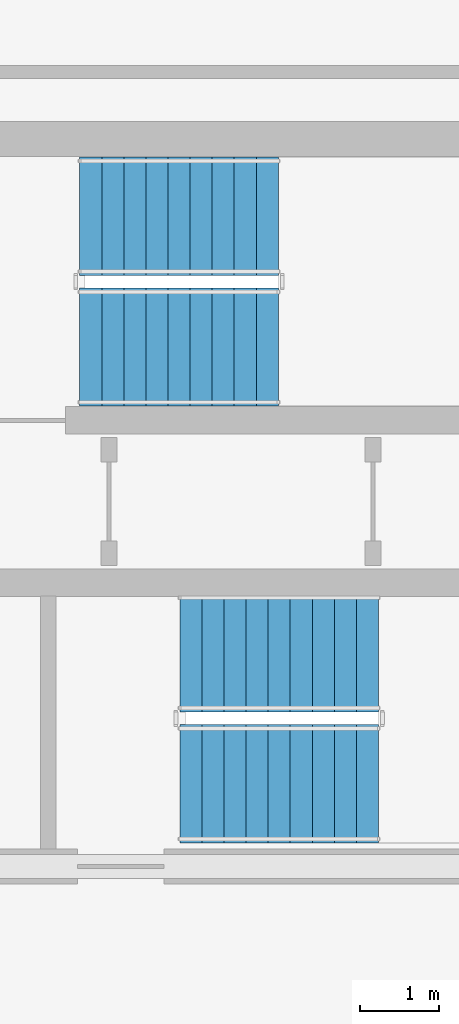
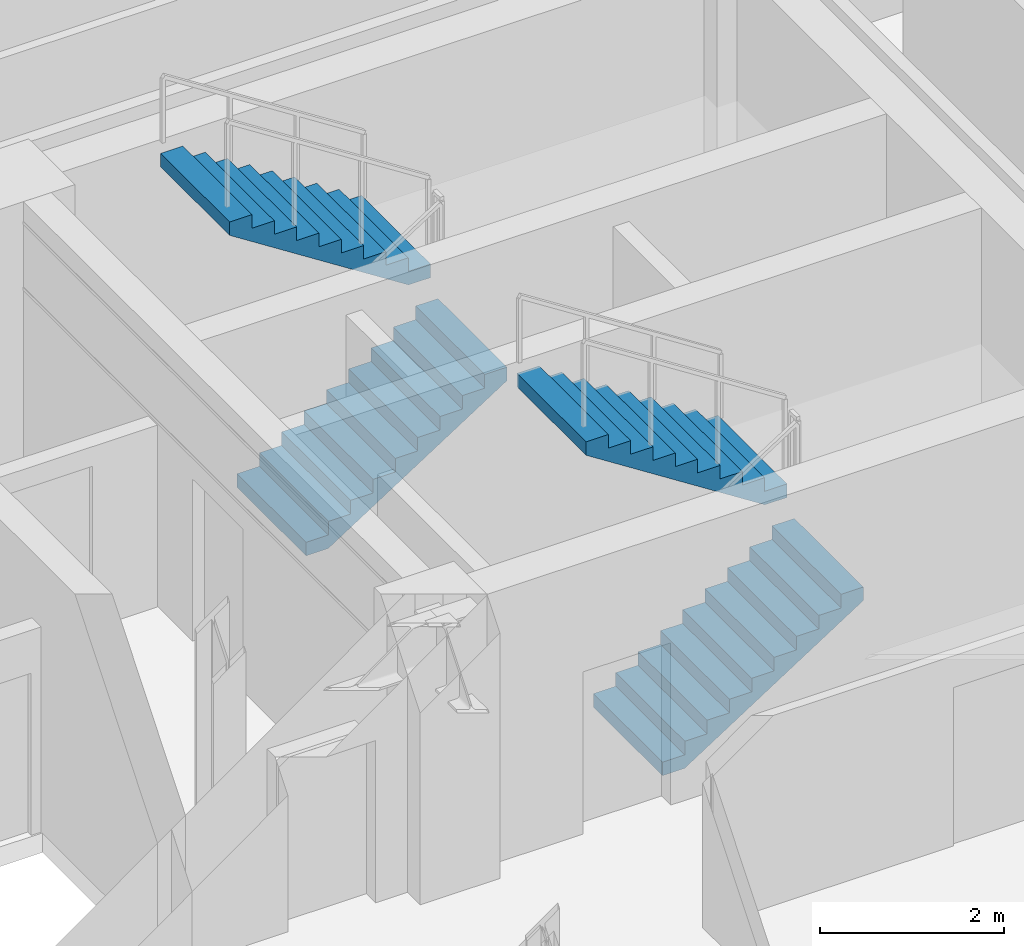
# One storey, part 10 of 14: 4 stair flights, 2 elements without a shape of their own.
"""IFC4 building model written with IfcOpenShell, lengths in metres."""

import ifcopenshell
import ifcopenshell.guid

model = None  # the IFC model being written
_history = None  # IfcOwnerHistory: only IFC2X3 demands one
_inside = {}  # id of a spatial element -> (the spatial element, [elements in it])
_under = {}  # id of a project, library or spatial element -> (it, [spatial elements below it])
_declared = {}  # id of a project -> (the project, [libraries it declares])
_typed = {}  # id of a type object -> (the type object, [elements of that type])
_made_of = {}  # id of a material, layer set ... -> (it, [elements and type objects made of it])


def new_model(schema):
    """Start an empty IFC model of exactly this schema.

    Asked for "IFC4X3", IfcOpenShell would pick the latest addendum, in which some entities
    have other attributes; the version numbers below select the first issue.
    IFC2X3 requires an IfcOwnerHistory on every rooted entity: one is made here for all.
    """
    global model, _history
    if schema == "IFC4X3":
        model = ifcopenshell.file(schema_version=(4, 3, 0, 0))
    else:
        model = ifcopenshell.file(schema=schema)
    _inside.clear()
    _under.clear()
    _declared.clear()
    _typed.clear()
    _made_of.clear()
    _history = None
    if model.schema == "IFC2X3":
        org = make("IfcOrganization", Name="unknown")
        user = make(
            "IfcPersonAndOrganization",
            ThePerson=make("IfcPerson", FamilyName="unknown"),
            TheOrganization=org,
        )
        app = make(
            "IfcApplication",
            ApplicationDeveloper=org,
            Version="unknown",
            ApplicationFullName="unknown",
            ApplicationIdentifier="unknown",
        )
        _history = make(
            "IfcOwnerHistory",
            OwningUser=user,
            OwningApplication=app,
            ChangeAction="ADDED",
            CreationDate=0,
        )
    return model


def make(cls, **values):
    """One entity of the class cls with the attributes given. An attribute that is None is left unset."""
    return model.create_entity(
        cls, **{name: value for name, value in values.items() if value is not None}
    )


def rooted(cls, **values):
    """An entity with a GlobalId (a new one), such as an element, a storey or a relation."""
    return make(cls, GlobalId=ifcopenshell.guid.new(), OwnerHistory=_history, **values)


def si_unit(unit_type, name, prefix=None):
    """IfcSIUnit, for example si_unit("LENGTHUNIT", "METRE", prefix="MILLI")."""
    return make("IfcSIUnit", UnitType=unit_type, Prefix=prefix, Name=name)


def assignment(units):
    """IfcUnitAssignment: the units of a project."""
    return None if units is None else make("IfcUnitAssignment", Units=units)


def point(xyz):
    """IfcCartesianPoint."""
    return None if xyz is None else make("IfcCartesianPoint", Coordinates=xyz)


def direction(xyz):
    """IfcDirection."""
    return None if xyz is None else make("IfcDirection", DirectionRatios=xyz)


def frame(location, z_axis=None, x_axis=None):
    """IfcAxis2Placement3D, a coordinate frame: its origin and axes. An axis left out is left unset."""
    return make(
        "IfcAxis2Placement3D",
        Location=point(location),
        Axis=direction(z_axis),
        RefDirection=direction(x_axis),
    )


def origin():
    """The frame at (0, 0, 0) with its axes left unset."""
    return frame((0.0, 0.0, 0.0))


def place(relative_to, where):
    """IfcLocalPlacement: puts the frame where relative to a parent placement (None: the world)."""
    return make(
        "IfcLocalPlacement", PlacementRelTo=relative_to, RelativePlacement=where
    )


def context(
    kind, dimensions, precision=None, world=None, true_north=None, identifier=None
):
    """IfcGeometricRepresentationContext, for example the 3D "Model" context."""
    return make(
        "IfcGeometricRepresentationContext",
        ContextIdentifier=identifier,
        ContextType=kind,
        CoordinateSpaceDimension=dimensions,
        Precision=precision,
        WorldCoordinateSystem=world,
        TrueNorth=true_north,
    )


def subcontext(parent, identifier, kind, view, scale=None):
    """IfcGeometricRepresentationSubContext, for example "Body" below "Model"."""
    return make(
        "IfcGeometricRepresentationSubContext",
        ContextIdentifier=identifier,
        ContextType=kind,
        ParentContext=parent,
        TargetScale=scale,
        TargetView=view,
    )


def project(units=None, contexts=None):
    """IfcProject with its units and contexts."""
    return rooted(
        "IfcProject",
        Name="project",
        RepresentationContexts=contexts,
        UnitsInContext=assignment(units),
    )


def spatial(cls, under=None, at=None, **own):
    """A site, building, storey or space (cls), placed at a placement, below another one or the project."""
    s = rooted(cls, ObjectPlacement=at, **own)
    if under is not None:
        _under.setdefault(under.id(), (under, []))[1].append(s)
    return s


def polyline(points):
    """IfcPolyline through the points."""
    return make("IfcPolyline", Points=[point(p) for p in points])


def outline(outer, holes=None, kind="AREA"):
    """IfcArbitraryClosedProfileDef: a profile drawn as a closed curve; with holes, ...WithVoids."""
    if holes is None:
        return make("IfcArbitraryClosedProfileDef", ProfileType=kind, OuterCurve=outer)
    return make(
        "IfcArbitraryProfileDefWithVoids",
        ProfileType=kind,
        OuterCurve=outer,
        InnerCurves=holes,
    )


def extrude(swept, where, along, depth):
    """IfcExtrudedAreaSolid: the profile swept, set in the frame where, extruded along a direction by depth."""
    return make(
        "IfcExtrudedAreaSolid",
        SweptArea=swept,
        Position=where,
        ExtrudedDirection=direction(along),
        Depth=depth,
    )


def shape(context_of_items, identifier, shape_type, items):
    """IfcShapeRepresentation: the items that make up one representation, for example the "Body"."""
    return make(
        "IfcShapeRepresentation",
        ContextOfItems=context_of_items,
        RepresentationIdentifier=identifier,
        RepresentationType=shape_type,
        Items=items,
    )


def material(Name=None, Category=None):
    """IfcMaterial."""
    return make("IfcMaterial", Name=Name, Category=Category)


def layer(
    of_material, thickness, ventilated=None, Name=None, Category=None, Priority=None
):
    """IfcMaterialLayer: one layer of a wall or slab, of a material (None: an air gap)."""
    return make(
        "IfcMaterialLayer",
        Material=of_material,
        LayerThickness=thickness,
        IsVentilated=ventilated,
        Name=Name,
        Category=Category,
        Priority=Priority,
    )


def layer_set(layers, Name=None):
    """IfcMaterialLayerSet."""
    return make("IfcMaterialLayerSet", MaterialLayers=layers, LayerSetName=Name)


def made_of(thing, what):
    """Note that an element or type object is made of a material, layer set ...; save() writes the relation."""
    if what is not None:
        _made_of.setdefault(what.id(), (what, []))[1].append(thing)
    return thing


def type_object(cls, material=None, **own):
    """A type object (cls), such as IfcWallType, which elements share."""
    return made_of(rooted(cls, **own), material)


def element(
    cls,
    number,
    at=None,
    inside=None,
    cuts=None,
    type_object=None,
    material=None,
    context=None,
    identifier="Body",
    shape_type=None,
    held_by="IfcProductDefinitionShape",
    body=None,
    shapes=None,
    **own,
):
    """One element of the class cls, such as IfcWall. Its Tag is "e" and its number.

    at: its placement. inside: the storey or other place that contains it. cuts: it is an
    opening in that element (IfcRelVoidsElement). A single representation is given by context,
    identifier, shape_type and body (its items); several are given by shapes. held_by: the class
    of the entity that holds the representations. save() writes the other relations.
    """
    e = rooted(cls, Tag="e%d" % number, ObjectPlacement=at, **own)
    if body is not None:
        shapes = [shape(context, identifier, shape_type, body)]
    if shapes is not None:
        e.Representation = make(held_by, Representations=shapes)
    if inside is not None:
        _inside.setdefault(inside.id(), (inside, []))[1].append(e)
    if cuts is not None:
        rooted(
            "IfcRelVoidsElement", RelatingBuildingElement=cuts, RelatedOpeningElement=e
        )
    if type_object is not None:
        _typed.setdefault(type_object.id(), (type_object, []))[1].append(e)
    return made_of(e, material)


def aggregate(whole, parts):
    """IfcRelAggregates: a whole, such as a stair, and the parts it consists of."""
    return rooted("IfcRelAggregates", RelatingObject=whole, RelatedObjects=parts)


def save(model, path):
    """Write the relations noted so far, then the file.

    IfcRelAggregates (storeys below a building ...), IfcRelContainedInSpatialStructure (elements
    in a storey), IfcRelDefinesByType, IfcRelAssociatesMaterial and IfcRelDeclares: one each for
    every whole, place, type object, material and project.
    """
    for whole, parts in _under.values():
        aggregate(whole, parts)
    for where, things in _inside.values():
        rooted(
            "IfcRelContainedInSpatialStructure",
            RelatedElements=things,
            RelatingStructure=where,
        )
    for kind, things in _typed.values():
        rooted("IfcRelDefinesByType", RelatedObjects=things, RelatingType=kind)
    for what, things in _made_of.values():
        rooted("IfcRelAssociatesMaterial", RelatedObjects=things, RelatingMaterial=what)
    for by, libraries in _declared.values():
        rooted("IfcRelDeclares", RelatingContext=by, RelatedDefinitions=libraries)
    model.write(path)


model = new_model("IFC4")

# Units and contexts
model_context = context("Model", 3, precision=1e-05, world=origin(), true_north=direction((0.0, 1.0)))
body_context = subcontext(model_context, "Body", "Model", "MODEL_VIEW")
ifc_project = project(units=[si_unit("LENGTHUNIT", "METRE"), si_unit("AREAUNIT", "SQUARE_METRE"), si_unit("VOLUMEUNIT", "CUBIC_METRE"), si_unit("PLANEANGLEUNIT", "RADIAN"), si_unit("MASSUNIT", "GRAM", prefix="KILO")], contexts=[model_context])

# Site, building, storey
site_placement = place(None, origin())
site = spatial("IfcSite", under=ifc_project, at=site_placement, CompositionType="ELEMENT")
building_placement = place(site_placement, origin())
building = spatial("IfcBuilding", under=site, at=building_placement, Name="Zarnavel Station Tower", CompositionType="ELEMENT")
storey_placement = place(building_placement, frame((0.0, 0.0, 218.39990234375)))
storey = spatial("IfcBuildingStorey", under=building, at=storey_placement, Name="L59", CompositionType="ELEMENT", Elevation=218.39990234375)

# Stair, stair flights
ifc_material_1 = material(Name="Concrete C45/55", Category="concrete")
stair_type = type_object("IfcStairType", Name="ST_CORE_150", PredefinedType="HALF_TURN_STAIR", material=ifc_material_1)
stair_1_placement = place(storey_placement, origin())
stair_1 = element("IfcStair", 1, at=stair_1_placement, inside=storey, type_object=stair_type, Name="L59 Core Exit Stair ST2", PredefinedType="HALF_TURN_STAIR")
ifc_material_2 = material(Name="Concrete C45/55", Category="concrete")
ifc_layer = layer(ifc_material_2, 0.179931640625)
ifc_layer_set = layer_set([ifc_layer], Name="ST_CORE_150_FLT")
stair_flight_type = type_object("IfcStairFlightType", Name="ST_CORE_150_FLT", PredefinedType="STRAIGHT", material=ifc_layer_set)
stair_flight_1_placement = place(storey_placement, frame((38.080078125, 34.409912109375, 0.0), z_axis=(0.0, 0.0, 1.0), x_axis=(1.0, 0.0, 0.0)))
stair_flight_1 = element("IfcStairFlight", 2, at=stair_flight_1_placement, type_object=stair_flight_type, Name="ST2 flight 1", NumberOfRisers=10, NumberOfTreads=9, PredefinedType="STRAIGHT", RiserHeight=0.18, TreadLength=0.28, context=body_context, shape_type="SweptSolid", body=[
    extrude(outline(polyline([(0.0, 0.0), (0.0, 0.179931640625), (0.280029296875, 0.179931640625), (0.280029296875, 0.360107421875), (0.56005859375, 0.360107421875), (0.56005859375, 0.5400390625), (0.840087890625, 0.5400390625), (0.840087890625, 0.719970703125), (1.1201171875, 0.719970703125), (1.1201171875, 0.89990234375), (1.39990234375, 0.89990234375), (1.39990234375, 1.080078125), (1.679931640625, 1.080078125), (1.679931640625, 1.260009765625), (1.9599609375, 1.260009765625), (1.9599609375, 1.43994140625), (2.239990234375, 1.43994140625), (2.239990234375, 1.6201171875), (2.52001953125, 1.6201171875), (2.52001953125, 1.800048828125), (2.52001953125, 1.44189453125), (0.277099609375, 0.0), (0.0, 0.0)])), frame((0.0, 0.75, 0.0), z_axis=(0.0, -1.0, 0.0), x_axis=(1.0, 0.0, 0.0)), (0.0, 0.0, 1.0), 1.5),
])
stair_flight_2_placement = place(storey_placement, frame((40.60009765625, 36.070068359375, 1.800048828125), z_axis=(0.0, 0.0, 1.0), x_axis=(-1.0, 0.0, 0.0)))
stair_flight_2 = element("IfcStairFlight", 3, at=stair_flight_2_placement, type_object=stair_flight_type, Name="ST2 flight 2", NumberOfRisers=10, NumberOfTreads=9, PredefinedType="STRAIGHT", RiserHeight=0.18, TreadLength=0.28, context=body_context, shape_type="SweptSolid", body=[
    extrude(outline(polyline([(0.0, 0.0), (0.0, 0.179931640625), (0.280029296875, 0.179931640625), (0.280029296875, 0.360107421875), (0.56005859375, 0.360107421875), (0.56005859375, 0.5400390625), (0.840087890625, 0.5400390625), (0.840087890625, 0.719970703125), (1.1201171875, 0.719970703125), (1.1201171875, 0.89990234375), (1.39990234375, 0.89990234375), (1.39990234375, 1.080078125), (1.679931640625, 1.080078125), (1.679931640625, 1.260009765625), (1.9599609375, 1.260009765625), (1.9599609375, 1.43994140625), (2.239990234375, 1.43994140625), (2.239990234375, 1.6201171875), (2.52001953125, 1.6201171875), (2.52001953125, 1.800048828125), (2.52001953125, 1.44189453125), (0.277099609375, 0.0), (0.0, 0.0)])), frame((0.0, 0.75, 0.0), z_axis=(0.0, -1.0, 0.0), x_axis=(1.0, 0.0, 0.0)), (0.0, 0.0, 1.0), 1.5),
])
aggregate(stair_1, [stair_flight_1, stair_flight_2])

stair_2_placement = place(storey_placement, origin())
stair_2 = element("IfcStair", 4, at=stair_2_placement, inside=storey, type_object=stair_type, Name="L59 Core Exit Stair ST3", PredefinedType="HALF_TURN_STAIR")
stair_flight_3_placement = place(storey_placement, frame((39.35009765625, 28.8701171875, 0.0), z_axis=(0.0, 0.0, 1.0), x_axis=(1.0, 0.0, 0.0)))
stair_flight_3 = element("IfcStairFlight", 5, at=stair_flight_3_placement, type_object=stair_flight_type, Name="ST3 flight 1", NumberOfRisers=10, NumberOfTreads=9, PredefinedType="STRAIGHT", RiserHeight=0.18, TreadLength=0.28, context=body_context, shape_type="SweptSolid", body=[
    extrude(outline(polyline([(0.0, 0.0), (0.0, 0.179931640625), (0.280029296875, 0.179931640625), (0.280029296875, 0.360107421875), (0.56005859375, 0.360107421875), (0.56005859375, 0.5400390625), (0.840087890625, 0.5400390625), (0.840087890625, 0.719970703125), (1.1201171875, 0.719970703125), (1.1201171875, 0.89990234375), (1.39990234375, 0.89990234375), (1.39990234375, 1.080078125), (1.679931640625, 1.080078125), (1.679931640625, 1.260009765625), (1.9599609375, 1.260009765625), (1.9599609375, 1.43994140625), (2.239990234375, 1.43994140625), (2.239990234375, 1.6201171875), (2.52001953125, 1.6201171875), (2.52001953125, 1.800048828125), (2.52001953125, 1.44189453125), (0.277099609375, 0.0), (0.0, 0.0)])), frame((0.0, 0.75, 0.0), z_axis=(0.0, -1.0, 0.0), x_axis=(1.0, 0.0, 0.0)), (0.0, 0.0, 1.0), 1.5),
])
stair_flight_4_placement = place(storey_placement, frame((41.8701171875, 30.530029296875, 1.800048828125), z_axis=(0.0, 0.0, 1.0), x_axis=(-1.0, 0.0, 0.0)))
stair_flight_4 = element("IfcStairFlight", 6, at=stair_flight_4_placement, type_object=stair_flight_type, Name="ST3 flight 2", NumberOfRisers=10, NumberOfTreads=9, PredefinedType="STRAIGHT", RiserHeight=0.18, TreadLength=0.28, context=body_context, shape_type="SweptSolid", body=[
    extrude(outline(polyline([(0.0, 0.0), (0.0, 0.179931640625), (0.280029296875, 0.179931640625), (0.280029296875, 0.360107421875), (0.56005859375, 0.360107421875), (0.56005859375, 0.5400390625), (0.840087890625, 0.5400390625), (0.840087890625, 0.719970703125), (1.1201171875, 0.719970703125), (1.1201171875, 0.89990234375), (1.39990234375, 0.89990234375), (1.39990234375, 1.080078125), (1.679931640625, 1.080078125), (1.679931640625, 1.260009765625), (1.9599609375, 1.260009765625), (1.9599609375, 1.43994140625), (2.239990234375, 1.43994140625), (2.239990234375, 1.6201171875), (2.52001953125, 1.6201171875), (2.52001953125, 1.800048828125), (2.52001953125, 1.44189453125), (0.277099609375, 0.0), (0.0, 0.0)])), frame((0.0, 0.75, 0.0), z_axis=(0.0, -1.0, 0.0), x_axis=(1.0, 0.0, 0.0)), (0.0, 0.0, 1.0), 1.5),
])
aggregate(stair_2, [stair_flight_3, stair_flight_4])

save(model, "model.ifc")
